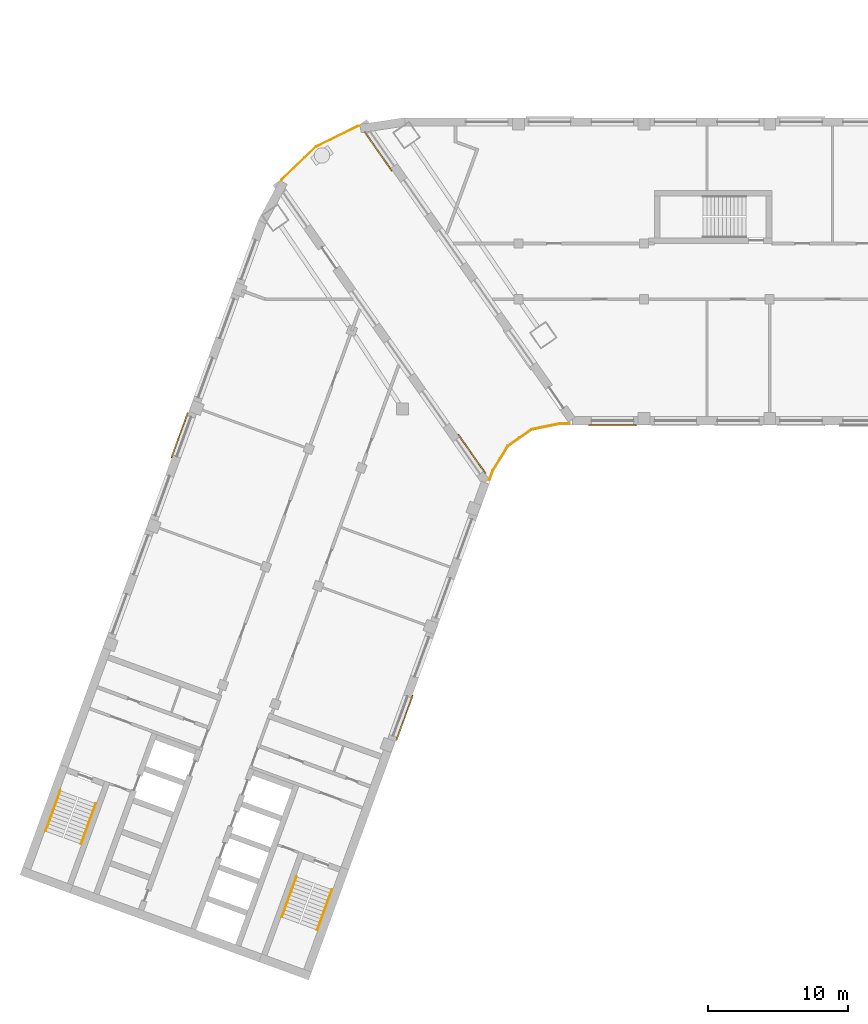
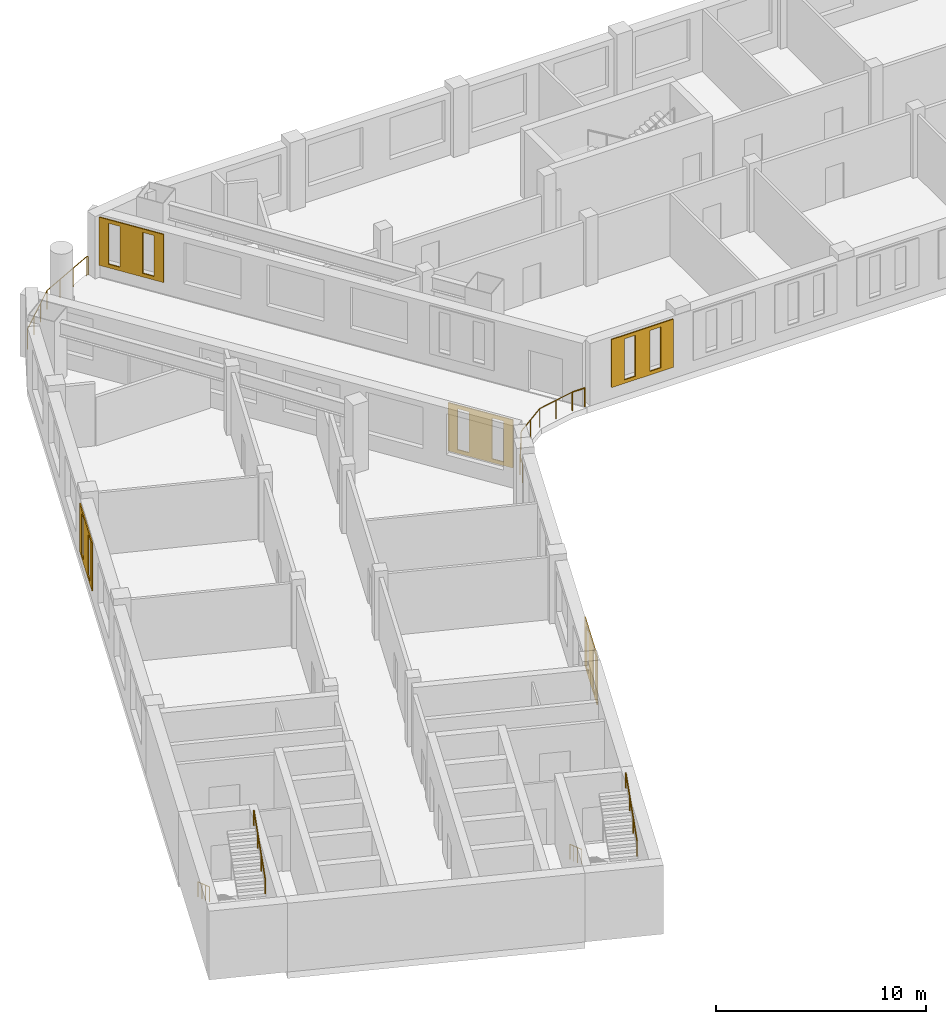
# One storey, part 11 of 14: 7 railings, 5 coverings.
"""IFC4 building model written with IfcOpenShell, lengths in metres."""

from ifc_helpers import new_model, si_unit, direction, frame, origin, origin_2d, place, context, subcontext, project, spatial, polyline, circle, outline, extrude, material, material_profile, profile_set, type_object, element, save


model = new_model("IFC4")

# Units and contexts
model_context = context("Model", 3, precision=1e-05, world=origin(), true_north=direction((0.0, 1.0)))
body_context = subcontext(model_context, "Body", "Model", "MODEL_VIEW")
ifc_project = project(units=[si_unit("LENGTHUNIT", "METRE"), si_unit("AREAUNIT", "SQUARE_METRE"), si_unit("VOLUMEUNIT", "CUBIC_METRE"), si_unit("PLANEANGLEUNIT", "RADIAN"), si_unit("MASSUNIT", "GRAM", prefix="KILO")], contexts=[model_context])

# Site, building, storey
site_placement = place(None, origin())
site = spatial("IfcSite", under=ifc_project, at=site_placement, CompositionType="ELEMENT")
building_placement = place(site_placement, origin())
building = spatial("IfcBuilding", under=site, at=building_placement, Name="Skarvind Civic Tower", CompositionType="ELEMENT")
storey_placement = place(building_placement, frame((0.0, 0.0, 105.0)))
storey = spatial("IfcBuildingStorey", under=building, at=storey_placement, Name="L24", CompositionType="ELEMENT", Elevation=105.0)

# Railings
ifc_material_1 = material(Name="Stainless steel balustrade", Category="steel")
railing_type_1 = type_object("IfcRailingType", Name="GR1 GUARD 1100", PredefinedType="GUARDRAIL", material=ifc_material_1)
railing_1_placement = place(storey_placement, frame((57.215087890625, 117.097900390625, 0.0)))
element("IfcRailing", 1, at=railing_1_placement, inside=storey, type_object=railing_type_1, Name="TERRACE GUARD", PredefinedType="GUARDRAIL", context=body_context, shape_type="SweptSolid", body=[
    extrude(circle(Radius=0.02392578125, at=origin_2d()), frame((0.0, 0.0, 1.076171875), z_axis=(-0.979961337444, -0.199187793589, 0.0), x_axis=(0.199187793589, -0.979961337444, 0.0)), (0.0, 0.0, 1.0), 2.062744140625),
    extrude(circle(Radius=0.02392578125, at=origin_2d()), frame((-2.021484375, -0.410888671875, 1.076171875), z_axis=(-0.819143848461, -0.573588141028, 0.0), x_axis=(0.573588141028, -0.819143848461, 0.0)), (0.0, 0.0, 1.0), 2.083984375),
    extrude(circle(Radius=0.02392578125, at=origin_2d()), frame((-3.728515625, -1.606201171875, 1.076171875), z_axis=(-0.522473695222, -0.8526554039, 0.0), x_axis=(0.8526554039, -0.522473695222, 0.0)), (0.0, 0.0, 1.0), 2.0732421875),
    extrude(circle(Radius=0.02392578125, at=origin_2d()), frame((-4.811767578125, -3.3740234375, 1.076171875), z_axis=(-0.341942212407, -0.939720981661, 0.0), x_axis=(0.939720981661, -0.341942212407, 0.0)), (0.0, 0.0, 1.0), 0.68896484375),
    extrude(circle(Radius=0.02099609375, at=origin_2d()), origin(), (0.0, 0.0, 1.0), 1.052001953125),
    extrude(circle(Radius=0.02099609375, at=origin_2d()), frame((-1.0107421875, -0.20556640625, 0.0)), (0.0, 0.0, 1.0), 1.052001953125),
    extrude(circle(Radius=0.02099609375, at=origin_2d()), frame((-2.021484375, -0.410888671875, 0.0)), (0.0, 0.0, 1.0), 1.052001953125),
    extrude(circle(Radius=0.02099609375, at=origin_2d()), frame((-2.875, -1.008544921875, 0.0)), (0.0, 0.0, 1.0), 1.052001953125),
    extrude(circle(Radius=0.02099609375, at=origin_2d()), frame((-3.728515625, -1.606201171875, 0.0)), (0.0, 0.0, 1.0), 1.052001953125),
    extrude(circle(Radius=0.02099609375, at=origin_2d()), frame((-4.27001953125, -2.490234375, 0.0)), (0.0, 0.0, 1.0), 1.052001953125),
    extrude(circle(Radius=0.02099609375, at=origin_2d()), frame((-4.811767578125, -3.3740234375, 0.0)), (0.0, 0.0, 1.0), 1.052001953125),
    extrude(circle(Radius=0.02099609375, at=origin_2d()), frame((-5.04736328125, -4.021484375, 0.0)), (0.0, 0.0, 1.0), 1.052001953125),
])
railing_2_placement = place(storey_placement, frame((37.280517578125, 134.50634765625, 0.0)))
element("IfcRailing", 2, at=railing_2_placement, inside=storey, type_object=railing_type_1, Name="TERRACE GUARD", PredefinedType="GUARDRAIL", context=body_context, shape_type="SweptSolid", body=[
    extrude(circle(Radius=0.02392578125, at=origin_2d()), frame((0.0, 0.0, 1.076171875), z_axis=(0.475414519163, 0.879761919481, 0.0), x_axis=(-0.879761919481, 0.475414519163, 0.0)), (0.0, 0.0, 1.0), 0.099609375),
    extrude(circle(Radius=0.02392578125, at=origin_2d()), frame((0.04736328125, 0.087646484375, 1.076171875), z_axis=(0.721198618013, 0.692728340243, 0.0), x_axis=(-0.692728340243, 0.721198618013, 0.0)), (0.0, 0.0, 1.0), 3.361572265625),
    extrude(circle(Radius=0.02392578125, at=origin_2d()), frame((2.4716796875, 2.416259765625, 1.076171875), z_axis=(0.897628432025, 0.440752989803, 0.0), x_axis=(-0.440752989803, 0.897628432025, 0.0)), (0.0, 0.0, 1.0), 3.36181640625),
    extrude(circle(Radius=0.02392578125, at=origin_2d()), frame((5.4892578125, 3.89794921875, 1.076171875), z_axis=(0.989097785224, 0.147260216162, 0.0), x_axis=(-0.147260216162, 0.989097785224, 0.0)), (0.0, 0.0, 1.0), 0.099365234375),
    extrude(circle(Radius=0.02099609375, at=origin_2d()), origin(), (0.0, 0.0, 1.0), 1.052001953125),
    extrude(circle(Radius=0.02099609375, at=origin_2d()), frame((0.04736328125, 0.087646484375, 0.0)), (0.0, 0.0, 1.0), 1.052001953125),
    extrude(circle(Radius=0.02099609375, at=origin_2d()), frame((0.85546875, 0.86376953125, 0.0)), (0.0, 0.0, 1.0), 1.052001953125),
    extrude(circle(Radius=0.02099609375, at=origin_2d()), frame((1.66357421875, 1.64013671875, 0.0)), (0.0, 0.0, 1.0), 1.052001953125),
    extrude(circle(Radius=0.02099609375, at=origin_2d()), frame((2.4716796875, 2.416259765625, 0.0)), (0.0, 0.0, 1.0), 1.052001953125),
    extrude(circle(Radius=0.02099609375, at=origin_2d()), frame((3.4775390625, 2.91015625, 0.0)), (0.0, 0.0, 1.0), 1.052001953125),
    extrude(circle(Radius=0.02099609375, at=origin_2d()), frame((4.4833984375, 3.404052734375, 0.0)), (0.0, 0.0, 1.0), 1.052001953125),
    extrude(circle(Radius=0.02099609375, at=origin_2d()), frame((5.4892578125, 3.89794921875, 0.0)), (0.0, 0.0, 1.0), 1.052001953125),
    extrude(circle(Radius=0.02099609375, at=origin_2d()), frame((5.587646484375, 3.91259765625, 0.0)), (0.0, 0.0, 1.0), 1.052001953125),
])
railing_3_placement = place(storey_placement, frame((57.9140625, 117.10009765625, 0.0)))
element("IfcRailing", 3, at=railing_3_placement, inside=storey, type_object=railing_type_1, Name="TERRACE GUARD", PredefinedType="GUARDRAIL", context=body_context, shape_type="SweptSolid", body=[
    extrude(circle(Radius=0.02392578125, at=origin_2d()), frame((0.0, 0.0, 1.076171875), z_axis=(-1.0, 0.0, 0.0), x_axis=(0.0, -1.0, 0.0)), (0.0, 0.0, 1.0), 0.678955078125),
    extrude(circle(Radius=0.02099609375, at=origin_2d()), origin(), (0.0, 0.0, 1.0), 1.052001953125),
    extrude(circle(Radius=0.02099609375, at=origin_2d()), frame((-0.678955078125, 0.0, 0.0)), (0.0, 0.0, 1.0), 1.052001953125),
])
ifc_material_2 = material(Name="Painted steel handrail", Category="steel")
railing_type_2 = type_object("IfcRailingType", Name="Stair handrail 900", PredefinedType="HANDRAIL", material=ifc_material_2)
railing_4_placement = place(storey_placement, frame((38.362060546875, 84.64794921875, 0.166748046875)))
element("IfcRailing", 4, at=railing_4_placement, inside=storey, type_object=railing_type_2, Name="Stair handrail", PredefinedType="HANDRAIL", context=body_context, shape_type="SweptSolid", body=[
    extrude(circle(Radius=0.02392578125, at=origin_2d()), frame((0.0, 0.0, 0.8759765625), z_axis=(-0.293908055923, -0.807480881337, 0.511461319103), x_axis=(0.939689235759, -0.342029443467, 0.0)), (0.0, 0.0, 1.0), 3.584228515625),
    extrude(circle(Radius=0.02099609375, at=origin_2d()), origin(), (0.0, 0.0, 1.0), 0.851806640625),
    extrude(circle(Radius=0.02099609375, at=origin_2d()), frame((-0.35107421875, -0.96484375, 0.611083984375)), (0.0, 0.0, 1.0), 0.851806640625),
    extrude(circle(Radius=0.02099609375, at=origin_2d()), frame((-0.702392578125, -1.929443359375, 1.22216796875)), (0.0, 0.0, 1.0), 0.851806640625),
    extrude(circle(Radius=0.02099609375, at=origin_2d()), frame((-1.053466796875, -2.894287109375, 1.833251953125)), (0.0, 0.0, 1.0), 0.851806640625),
])
railing_5_placement = place(storey_placement, frame((39.845703125, 80.830078125, 2.166748046875)))
element("IfcRailing", 5, at=railing_5_placement, inside=storey, type_object=railing_type_2, Name="Stair handrail", PredefinedType="HANDRAIL", context=body_context, shape_type="SweptSolid", body=[
    extrude(circle(Radius=0.02392578125, at=origin_2d()), frame((0.0, 0.0, 0.8759765625), z_axis=(0.293908055923, 0.807480881337, 0.511461319103), x_axis=(-0.939689235759, 0.342029443467, 0.0)), (0.0, 0.0, 1.0), 3.584228515625),
    extrude(circle(Radius=0.02099609375, at=origin_2d()), origin(), (0.0, 0.0, 1.0), 0.851806640625),
    extrude(circle(Radius=0.02099609375, at=origin_2d()), frame((0.35107421875, 0.96484375, 0.611083984375)), (0.0, 0.0, 1.0), 0.851806640625),
    extrude(circle(Radius=0.02099609375, at=origin_2d()), frame((0.702392578125, 1.929443359375, 1.22216796875)), (0.0, 0.0, 1.0), 0.851806640625),
    extrude(circle(Radius=0.02099609375, at=origin_2d()), frame((1.053466796875, 2.894287109375, 1.833251953125)), (0.0, 0.0, 1.0), 0.851806640625),
])
railing_6_placement = place(storey_placement, frame((21.447509765625, 90.80419921875, 0.166748046875)))
element("IfcRailing", 6, at=railing_6_placement, inside=storey, type_object=railing_type_2, Name="Stair handrail", PredefinedType="HANDRAIL", context=body_context, shape_type="SweptSolid", body=[
    extrude(circle(Radius=0.02392578125, at=origin_2d()), frame((0.0, 0.0, 0.8759765625), z_axis=(-0.293845824691, -0.807497044902, 0.511471557163), x_axis=(0.939714709796, -0.34195944817, 0.0)), (0.0, 0.0, 1.0), 3.584228515625),
    extrude(circle(Radius=0.02099609375, at=origin_2d()), origin(), (0.0, 0.0, 1.0), 0.851806640625),
    extrude(circle(Radius=0.02099609375, at=origin_2d()), frame((-0.35107421875, -0.96484375, 0.611083984375)), (0.0, 0.0, 1.0), 0.851806640625),
    extrude(circle(Radius=0.02099609375, at=origin_2d()), frame((-0.7021484375, -1.929443359375, 1.22216796875)), (0.0, 0.0, 1.0), 0.851806640625),
    extrude(circle(Radius=0.02099609375, at=origin_2d()), frame((-1.05322265625, -2.894287109375, 1.833251953125)), (0.0, 0.0, 1.0), 0.851806640625),
])
railing_7_placement = place(storey_placement, frame((22.931396484375, 86.986572265625, 2.166748046875)))
element("IfcRailing", 7, at=railing_7_placement, inside=storey, type_object=railing_type_2, Name="Stair handrail", PredefinedType="HANDRAIL", context=body_context, shape_type="SweptSolid", body=[
    extrude(circle(Radius=0.02392578125, at=origin_2d()), frame((0.0, 0.0, 0.8759765625), z_axis=(0.293908055923, 0.807480881337, 0.511461319103), x_axis=(-0.939689235759, 0.342029443467, 0.0)), (0.0, 0.0, 1.0), 3.584228515625),
    extrude(circle(Radius=0.02099609375, at=origin_2d()), origin(), (0.0, 0.0, 1.0), 0.851806640625),
    extrude(circle(Radius=0.02099609375, at=origin_2d()), frame((0.35107421875, 0.96484375, 0.611083984375)), (0.0, 0.0, 1.0), 0.851806640625),
    extrude(circle(Radius=0.02099609375, at=origin_2d()), frame((0.702392578125, 1.929443359375, 1.22216796875)), (0.0, 0.0, 1.0), 0.851806640625),
    extrude(circle(Radius=0.02099609375, at=origin_2d()), frame((1.053466796875, 2.894287109375, 1.833251953125)), (0.0, 0.0, 1.0), 0.851806640625),
])

# Coverings
ifc_material_3 = material(Name="Terracotta", Category="masonry")
ifc_material_profile_1 = material_profile(ifc_material_3, outline(polyline([(-1.699951171875, -1.39990234375), (1.699951171875, -1.39990234375), (1.699951171875, 1.39990234375), (-1.699951171875, 1.39990234375), (-1.699951171875, -1.39990234375)]), holes=[polyline([(-1.0, -1.18994140625), (-0.39990234375, -1.18994140625), (-0.39990234375, 1.18994140625), (-1.0, 1.18994140625), (-1.0, -1.18994140625)]), polyline([(0.39990234375, -1.18994140625), (1.0, -1.18994140625), (1.0, 1.18994140625), (0.39990234375, 1.18994140625), (0.39990234375, -1.18994140625)])]), Name="TERRACOTTA SCREEN 3400 x 2800, SLIT PITCH 1400")
ifc_profile_set_1 = profile_set([ifc_material_profile_1], Name="Terracotta")
covering_type_1 = type_object("IfcCoveringType", Name="TERRACOTTA SCREEN 3400 x 2800, SLIT PITCH 1400", PredefinedType="CLADDING", material=ifc_profile_set_1)
covering_1_placement = place(storey_placement, frame((61.0, 117.0, 2.10009765625), z_axis=(0.0, -1.0, 0.0), x_axis=(1.0, 0.0, 0.0)))
element("IfcCovering", 8, at=covering_1_placement, inside=storey, type_object=covering_type_1, Name="TERRACOTTA SCREEN", PredefinedType="CLADDING", context=body_context, shape_type="SweptSolid", body=[
    extrude(outline(polyline([(-1.699951171875, -1.39990234375), (1.699951171875, -1.39990234375), (1.699951171875, 1.39990234375), (-1.699951171875, 1.39990234375), (-1.699951171875, -1.39990234375)]), holes=[polyline([(-1.0, -1.18994140625), (-0.39990234375, -1.18994140625), (-0.39990234375, 1.18994140625), (-1.0, 1.18994140625), (-1.0, -1.18994140625)]), polyline([(0.39990234375, -1.18994140625), (1.0, -1.18994140625), (1.0, 1.18994140625), (0.39990234375, 1.18994140625), (0.39990234375, -1.18994140625)])]), origin(), (0.0, 0.0, 1.0), 0.06005859375),
])
ifc_material_profile_2 = material_profile(ifc_material_3, outline(polyline([(-1.699951171875, -1.39990234375), (1.699951171875, -1.39990234375), (1.699951171875, 1.39990234375), (-1.699951171875, 1.39990234375), (-1.699951171875, -1.39990234375)]), holes=[polyline([(-1.199951171875, -1.18994140625), (-0.60009765625, -1.18994140625), (-0.60009765625, 1.18994140625), (-1.199951171875, 1.18994140625), (-1.199951171875, -1.18994140625)]), polyline([(0.60009765625, -1.18994140625), (1.199951171875, -1.18994140625), (1.199951171875, 1.18994140625), (0.60009765625, 1.18994140625), (0.60009765625, -1.18994140625)])]), Name="TERRACOTTA SCREEN 3400 x 2800, SLIT PITCH 1800")
ifc_profile_set_2 = profile_set([ifc_material_profile_2], Name="Terracotta")
covering_type_2 = type_object("IfcCoveringType", Name="TERRACOTTA SCREEN 3400 x 2800, SLIT PITCH 1800", PredefinedType="CLADDING", material=ifc_profile_set_2)
covering_2_placement = place(storey_placement, frame((44.244873046875, 136.6083984375, 2.10009765625), z_axis=(-0.820572225759, -0.571542843812, 0.0), x_axis=(0.571542843812, -0.820572225759, 0.0)))
element("IfcCovering", 9, at=covering_2_placement, inside=storey, type_object=covering_type_2, Name="TERRACOTTA SCREEN", PredefinedType="CLADDING", context=body_context, shape_type="SweptSolid", body=[
    extrude(outline(polyline([(-1.699951171875, -1.39990234375), (1.699951171875, -1.39990234375), (1.699951171875, 1.39990234375), (-1.699951171875, 1.39990234375), (-1.699951171875, -1.39990234375)]), holes=[polyline([(-1.199951171875, -1.18994140625), (-0.60009765625, -1.18994140625), (-0.60009765625, 1.18994140625), (-1.199951171875, 1.18994140625), (-1.199951171875, -1.18994140625)]), polyline([(0.60009765625, -1.18994140625), (1.199951171875, -1.18994140625), (1.199951171875, 1.18994140625), (0.60009765625, 1.18994140625), (0.60009765625, -1.18994140625)])]), origin(), (0.0, 0.0, 1.0), 0.059814453125),
])
for number, where, z_axis, x_axis, name in (
    (10, (46.075927734375, 96.047119140625, 2.10009765625), (0.939793423488, -0.341743063087, 0.0), (0.341743063087, 0.939793423488, 0.0), "TERRACOTTA SCREEN"),
    (11, (50.89892578125, 114.901611328125, 2.10009765625), (0.81865747399, 0.57428210862, 0.0), (-0.57428210862, 0.81865747399, 0.0), "TERRACOTTA SCREEN"),
    (12, (30.02001953125, 116.25732421875, 2.10009765625), (-0.939793423488, 0.341743063087, 0.0), (-0.341743063087, -0.939793423488, 0.0), "TERRACOTTA SCREEN"),
):
    element("IfcCovering", number, at=place(storey_placement, frame(where, z_axis=z_axis, x_axis=x_axis)), inside=storey, type_object=covering_type_2, Name=name, PredefinedType="CLADDING", context=body_context, shape_type="SweptSolid", body=[
        extrude(outline(polyline([(-1.699951171875, -1.39990234375), (1.699951171875, -1.39990234375), (1.699951171875, 1.39990234375), (-1.699951171875, 1.39990234375), (-1.699951171875, -1.39990234375)]), holes=[polyline([(-1.199951171875, -1.18994140625), (-0.60009765625, -1.18994140625), (-0.60009765625, 1.18994140625), (-1.199951171875, 1.18994140625), (-1.199951171875, -1.18994140625)]), polyline([(0.60009765625, -1.18994140625), (1.199951171875, -1.18994140625), (1.199951171875, 1.18994140625), (0.60009765625, 1.18994140625), (0.60009765625, -1.18994140625)])]), origin(), (0.0, 0.0, 1.0), 0.06005859375),
    ])

save(model, "model.ifc")
